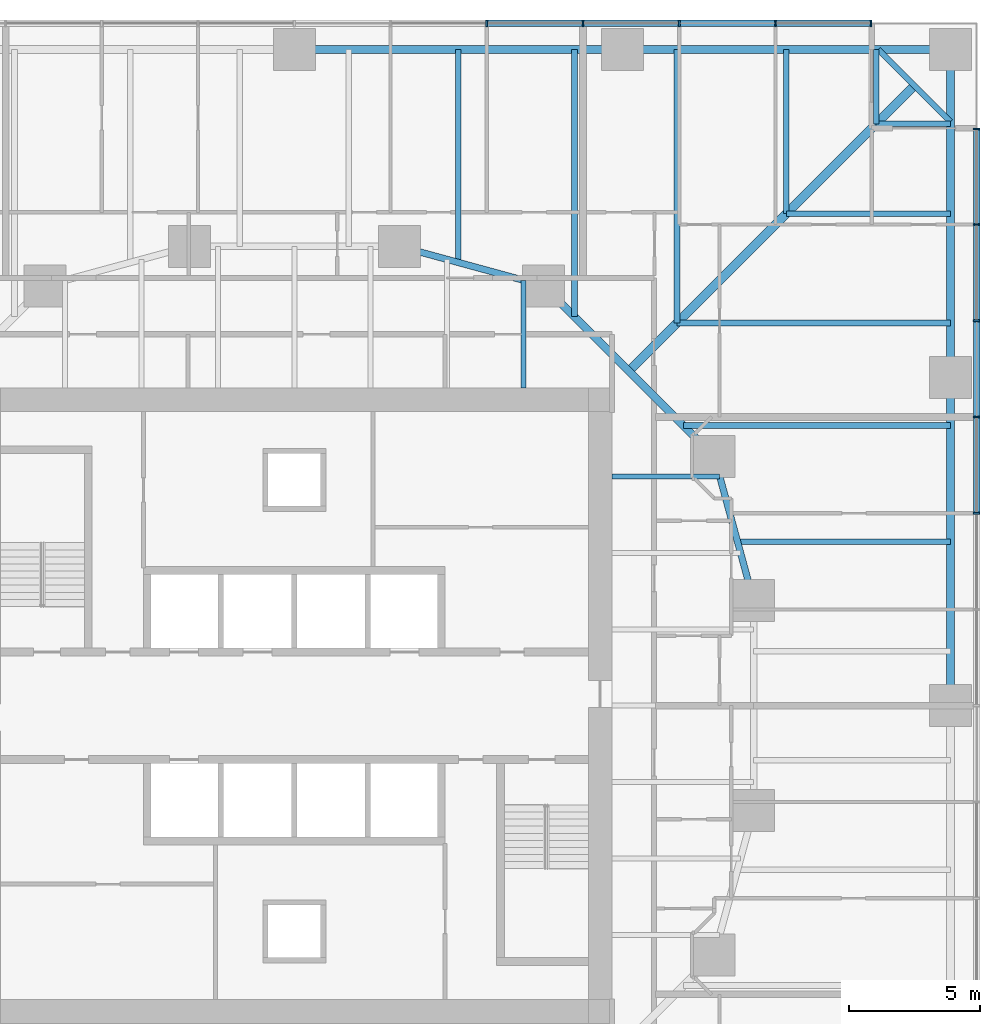
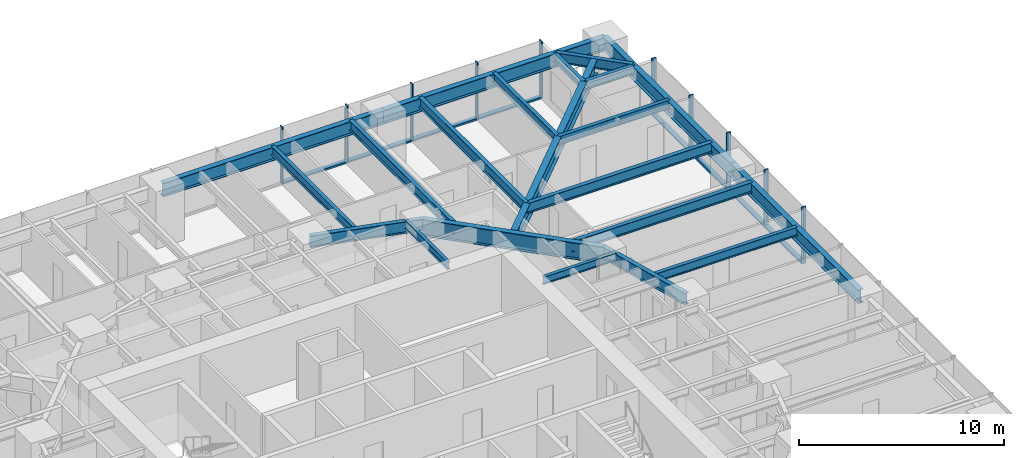
# One storey, part 6 of 18: 21 beams, 18 members, 2 elements without a shape of their own.
"""IFC4 building model written with IfcOpenShell, lengths in metres."""

from ifc_helpers import new_model, si_unit, direction, frame, origin, origin_2d, place, context, subcontext, project, spatial, rectangle, i_section, extrude, material, material_profile, profile_set, type_object, element, aggregate, save


model = new_model("IFC4")

# Units and contexts
model_context = context("Model", 3, precision=1e-05, world=origin(), true_north=direction((0.0, 1.0)))
body_context = subcontext(model_context, "Body", "Model", "MODEL_VIEW")
ifc_project = project(units=[si_unit("LENGTHUNIT", "METRE"), si_unit("AREAUNIT", "SQUARE_METRE"), si_unit("VOLUMEUNIT", "CUBIC_METRE"), si_unit("PLANEANGLEUNIT", "RADIAN"), si_unit("MASSUNIT", "GRAM", prefix="KILO")], contexts=[model_context])

# Site, building, storey
site_placement = place(None, origin())
site = spatial("IfcSite", under=ifc_project, at=site_placement, CompositionType="ELEMENT")
building_placement = place(site_placement, origin())
building = spatial("IfcBuilding", under=site, at=building_placement, Name="Torsade Residences", CompositionType="ELEMENT")
storey_placement = place(building_placement, frame((0.0, 0.0, 28.60009765625)))
storey = spatial("IfcBuildingStorey", under=building, at=storey_placement, Name="L07", CompositionType="ELEMENT", Elevation=28.60009765625)

# Beams
ifc_material_1 = material(Name="Steel grade 300", Category="steel")
ifc_material_profile_1 = material_profile(ifc_material_1, i_section(OverallWidth=0.35009765625, OverallDepth=0.909912109375, WebThickness=0.011962890625, FlangeThickness=0.02490234375, at=origin_2d()), Name="900WB218")
ifc_profile_set_1 = profile_set([ifc_material_profile_1], Name="Steel grade 300")
beam_type_1 = type_object("IfcBeamType", Name="CORNER GIRDER 900WB218", PredefinedType="BEAM", material=ifc_profile_set_1)
beam_1_placement = place(storey_placement, frame((63.625, 53.625, 2.794921875), z_axis=(-0.707106781187, -0.707106781187, 0.0), x_axis=(0.707106781187, -0.707106781187, 0.0)))
element("IfcBeam", 1, at=beam_1_placement, inside=storey, type_object=beam_type_1, Name="Corner girder 09 L08", PredefinedType="BEAM", context=body_context, shape_type="SweptSolid", body=[
    extrude(i_section(OverallWidth=0.35009765625, OverallDepth=0.909912109375, WebThickness=0.011962890625, FlangeThickness=0.02490234375, at=origin_2d()), origin(), (0.0, 0.0, 1.0), 15.379638671875),
])
ifc_material_2 = material(Name="Steel grade 300", Category="steel")
ifc_material_profile_2 = material_profile(ifc_material_2, i_section(OverallWidth=0.22802734375, OverallDepth=0.60205078125, WebThickness=0.010498046875, FlangeThickness=0.014892578125, FilletRadius=0.013916015625, at=origin_2d()), Name="610UB101")
ifc_profile_set_2 = profile_set([ifc_material_profile_2], Name="Steel grade 300")
beam_type_2 = type_object("IfcBeamType", Name="CORNER TRIMMER 610UB101", PredefinedType="BEAM", material=ifc_profile_set_2)
beam_2_placement = place(storey_placement, frame((62.25, 55.0, 2.948974609375), z_axis=(0.707106781187, -0.707106781187, 0.0), x_axis=(0.707106781187, 0.707106781187, 0.0)))
element("IfcBeam", 2, at=beam_2_placement, inside=storey, type_object=beam_type_2, Name="Corner trimmer 09 L08", PredefinedType="BEAM", context=body_context, shape_type="SweptSolid", body=[
    extrude(i_section(OverallWidth=0.22802734375, OverallDepth=0.60205078125, WebThickness=0.010498046875, FlangeThickness=0.014892578125, FilletRadius=0.013916015625, at=origin_2d()), origin(), (0.0, 0.0, 1.0), 3.88916015625),
])

# Curtain wall, members
ifc_material_3 = material(Name="Aluminium and glass", Category="aluminium")
curtain_wall_type = type_object("IfcCurtainWallType", Name="FRITTED GLASS CURTAIN WALL LOW ZONE", PredefinedType="NOTDEFINED", material=ifc_material_3)
curtain_wall_1_placement = place(storey_placement, origin())
curtain_wall_1 = element("IfcCurtainWall", 3, at=curtain_wall_1_placement, inside=storey, type_object=curtain_wall_type, Name="Curtain wall L07 face 4", PredefinedType="NOTDEFINED")
ifc_material_4 = material(Name="Aluminium mullion", Category="aluminium")
ifc_material_profile_3 = material_profile(ifc_material_4, rectangle(XDim=0.25, YDim=0.06494140625, at=origin_2d()), Name="CURTAIN WALL MULLION 250x65")
ifc_profile_set_3 = profile_set([ifc_material_profile_3], Name="Aluminium mullion")
member_type_1 = type_object("IfcMemberType", Name="CURTAIN WALL MULLION 250x65", PredefinedType="MULLION", material=ifc_profile_set_3)
member_1_placement = place(storey_placement, frame((66.0, 37.333251953125, 0.0), z_axis=(0.0, 0.0, 1.0), x_axis=(-1.0, 0.0, 0.0)))
member_1 = element("IfcMember", 4, at=member_1_placement, type_object=member_type_1, Name="Mullion 9", PredefinedType="MULLION", context=body_context, shape_type="SweptSolid", body=[
    extrude(rectangle(XDim=0.25, YDim=0.06494140625, at=origin_2d()), origin(), (0.0, 0.0, 1.0), 3.39990234375),
])
member_2_placement = place(storey_placement, frame((66.0, 41.0, 0.0), z_axis=(0.0, 0.0, 1.0), x_axis=(-1.0, 0.0, 0.0)))
member_2 = element("IfcMember", 5, at=member_2_placement, type_object=member_type_1, Name="Mullion 10", PredefinedType="MULLION", context=body_context, shape_type="SweptSolid", body=[
    extrude(rectangle(XDim=0.25, YDim=0.06494140625, at=origin_2d()), origin(), (0.0, 0.0, 1.0), 3.39990234375),
])
member_3_placement = place(storey_placement, frame((66.0, 44.666748046875, 0.0), z_axis=(0.0, 0.0, 1.0), x_axis=(-1.0, 0.0, 0.0)))
member_3 = element("IfcMember", 6, at=member_3_placement, type_object=member_type_1, Name="Mullion 11", PredefinedType="MULLION", context=body_context, shape_type="SweptSolid", body=[
    extrude(rectangle(XDim=0.25, YDim=0.06494140625, at=origin_2d()), origin(), (0.0, 0.0, 1.0), 3.39990234375),
])
member_4_placement = place(storey_placement, frame((66.0, 48.333251953125, 0.0), z_axis=(0.0, 0.0, 1.0), x_axis=(-1.0, 0.0, 0.0)))
member_4 = element("IfcMember", 7, at=member_4_placement, type_object=member_type_1, Name="Mullion 12", PredefinedType="MULLION", context=body_context, shape_type="SweptSolid", body=[
    extrude(rectangle(XDim=0.25, YDim=0.06494140625, at=origin_2d()), origin(), (0.0, 0.0, 1.0), 3.39990234375),
])
member_5_placement = place(storey_placement, frame((66.0, 51.967529296875, 0.0), z_axis=(0.0, 0.0, 1.0), x_axis=(-1.0, 0.0, 0.0)))
member_5 = element("IfcMember", 8, at=member_5_placement, type_object=member_type_1, Name="Mullion 13", PredefinedType="MULLION", context=body_context, shape_type="SweptSolid", body=[
    extrude(rectangle(XDim=0.25, YDim=0.06494140625, at=origin_2d()), origin(), (0.0, 0.0, 1.0), 3.39990234375),
])

curtain_wall_2_placement = place(storey_placement, origin())
curtain_wall_2 = element("IfcCurtainWall", 9, at=curtain_wall_2_placement, inside=storey, type_object=curtain_wall_type, Name="Curtain wall L07 face 7", PredefinedType="NOTDEFINED")
member_6_placement = place(storey_placement, frame((61.967529296875, 56.0, 0.0), z_axis=(0.0, 0.0, 1.0), x_axis=(0.0, -1.0, 0.0)))
member_6 = element("IfcMember", 10, at=member_6_placement, type_object=member_type_1, Name="Mullion 1", PredefinedType="MULLION", context=body_context, shape_type="SweptSolid", body=[
    extrude(rectangle(XDim=0.25, YDim=0.06494140625, at=origin_2d()), origin(), (0.0, 0.0, 1.0), 3.39990234375),
])
member_7_placement = place(storey_placement, frame((58.333251953125, 56.0, 0.0), z_axis=(0.0, 0.0, 1.0), x_axis=(0.0, -1.0, 0.0)))
member_7 = element("IfcMember", 11, at=member_7_placement, type_object=member_type_1, Name="Mullion 2", PredefinedType="MULLION", context=body_context, shape_type="SweptSolid", body=[
    extrude(rectangle(XDim=0.25, YDim=0.06494140625, at=origin_2d()), origin(), (0.0, 0.0, 1.0), 3.39990234375),
])
member_8_placement = place(storey_placement, frame((54.666748046875, 56.0, 0.0), z_axis=(0.0, 0.0, 1.0), x_axis=(0.0, -1.0, 0.0)))
member_8 = element("IfcMember", 12, at=member_8_placement, type_object=member_type_1, Name="Mullion 3", PredefinedType="MULLION", context=body_context, shape_type="SweptSolid", body=[
    extrude(rectangle(XDim=0.25, YDim=0.06494140625, at=origin_2d()), origin(), (0.0, 0.0, 1.0), 3.39990234375),
])
member_9_placement = place(storey_placement, frame((51.0, 56.0, 0.0), z_axis=(0.0, 0.0, 1.0), x_axis=(0.0, -1.0, 0.0)))
member_9 = element("IfcMember", 13, at=member_9_placement, type_object=member_type_1, Name="Mullion 4", PredefinedType="MULLION", context=body_context, shape_type="SweptSolid", body=[
    extrude(rectangle(XDim=0.25, YDim=0.06494140625, at=origin_2d()), origin(), (0.0, 0.0, 1.0), 3.39990234375),
])
member_10_placement = place(storey_placement, frame((47.333251953125, 56.0, 0.0), z_axis=(0.0, 0.0, 1.0), x_axis=(0.0, -1.0, 0.0)))
member_10 = element("IfcMember", 14, at=member_10_placement, type_object=member_type_1, Name="Mullion 5", PredefinedType="MULLION", context=body_context, shape_type="SweptSolid", body=[
    extrude(rectangle(XDim=0.25, YDim=0.06494140625, at=origin_2d()), origin(), (0.0, 0.0, 1.0), 3.39990234375),
])

# Member
ifc_material_5 = material(Name="Aluminium transom", Category="aluminium")
ifc_material_profile_4 = material_profile(ifc_material_5, rectangle(XDim=0.25, YDim=0.10009765625, at=origin_2d()), Name="CURTAIN WALL TRANSOM 250x100")
ifc_profile_set_4 = profile_set([ifc_material_profile_4], Name="Aluminium transom")
member_type_2 = type_object("IfcMemberType", Name="CURTAIN WALL TRANSOM 250x100", PredefinedType="USERDEFINED", material=ifc_profile_set_4)
member_11_placement = place(storey_placement, frame((66.0, 37.36572265625, 0.0498046875), z_axis=(0.0, 1.0, 0.0), x_axis=(-1.0, 0.0, 0.0)))
member_11 = element("IfcMember", 15, at=member_11_placement, type_object=member_type_2, Name="Transom 9.1", ObjectType="TRANSOM", PredefinedType="USERDEFINED", context=body_context, shape_type="SweptSolid", body=[
    extrude(rectangle(XDim=0.25, YDim=0.10009765625, at=origin_2d()), origin(), (0.0, 0.0, 1.0), 3.601806640625),
])

member_12_placement = place(storey_placement, frame((66.0, 41.032470703125, 0.0498046875), z_axis=(0.0, 1.0, 0.0), x_axis=(-1.0, 0.0, 0.0)))
member_12 = element("IfcMember", 16, at=member_12_placement, type_object=member_type_2, Name="Transom 10.1", ObjectType="TRANSOM", PredefinedType="USERDEFINED", context=body_context, shape_type="SweptSolid", body=[
    extrude(rectangle(XDim=0.25, YDim=0.10009765625, at=origin_2d()), origin(), (0.0, 0.0, 1.0), 3.601806640625),
])

member_13_placement = place(storey_placement, frame((66.0, 44.69921875, 0.0498046875), z_axis=(0.0, 1.0, 0.0), x_axis=(-1.0, 0.0, 0.0)))
member_13 = element("IfcMember", 17, at=member_13_placement, type_object=member_type_2, Name="Transom 11.1", ObjectType="TRANSOM", PredefinedType="USERDEFINED", context=body_context, shape_type="SweptSolid", body=[
    extrude(rectangle(XDim=0.25, YDim=0.10009765625, at=origin_2d()), origin(), (0.0, 0.0, 1.0), 3.6015625),
])

member_14_placement = place(storey_placement, frame((66.0, 48.36572265625, 0.0498046875), z_axis=(0.0, 1.0, 0.0), x_axis=(-1.0, 0.0, 0.0)))
member_14 = element("IfcMember", 18, at=member_14_placement, type_object=member_type_2, Name="Transom 12.1", ObjectType="TRANSOM", PredefinedType="USERDEFINED", context=body_context, shape_type="SweptSolid", body=[
    extrude(rectangle(XDim=0.25, YDim=0.10009765625, at=origin_2d()), origin(), (0.0, 0.0, 1.0), 3.5693359375),
])

aggregate(curtain_wall_1, [member_1, member_2, member_3, member_4, member_5, member_11, member_12, member_13, member_14])

member_15_placement = place(storey_placement, frame((61.93505859375, 56.0, 0.0498046875), z_axis=(-1.0, 0.0, 0.0), x_axis=(0.0, -1.0, 0.0)))
member_15 = element("IfcMember", 19, at=member_15_placement, type_object=member_type_2, Name="Transom 1.1", ObjectType="TRANSOM", PredefinedType="USERDEFINED", context=body_context, shape_type="SweptSolid", body=[
    extrude(rectangle(XDim=0.25, YDim=0.10009765625, at=origin_2d()), origin(), (0.0, 0.0, 1.0), 3.5693359375),
])

member_16_placement = place(storey_placement, frame((58.30078125, 56.0, 0.0498046875), z_axis=(-1.0, 0.0, 0.0), x_axis=(0.0, -1.0, 0.0)))
member_16 = element("IfcMember", 20, at=member_16_placement, type_object=member_type_2, Name="Transom 2.1", ObjectType="TRANSOM", PredefinedType="USERDEFINED", context=body_context, shape_type="SweptSolid", body=[
    extrude(rectangle(XDim=0.25, YDim=0.10009765625, at=origin_2d()), origin(), (0.0, 0.0, 1.0), 3.6015625),
])

member_17_placement = place(storey_placement, frame((54.63427734375, 56.0, 0.0498046875), z_axis=(-1.0, 0.0, 0.0), x_axis=(0.0, -1.0, 0.0)))
member_17 = element("IfcMember", 21, at=member_17_placement, type_object=member_type_2, Name="Transom 3.1", ObjectType="TRANSOM", PredefinedType="USERDEFINED", context=body_context, shape_type="SweptSolid", body=[
    extrude(rectangle(XDim=0.25, YDim=0.10009765625, at=origin_2d()), origin(), (0.0, 0.0, 1.0), 3.601806640625),
])

member_18_placement = place(storey_placement, frame((50.967529296875, 56.0, 0.0498046875), z_axis=(-1.0, 0.0, 0.0), x_axis=(0.0, -1.0, 0.0)))
member_18 = element("IfcMember", 22, at=member_18_placement, type_object=member_type_2, Name="Transom 4.1", ObjectType="TRANSOM", PredefinedType="USERDEFINED", context=body_context, shape_type="SweptSolid", body=[
    extrude(rectangle(XDim=0.25, YDim=0.10009765625, at=origin_2d()), origin(), (0.0, 0.0, 1.0), 3.601806640625),
])

aggregate(curtain_wall_2, [member_6, member_7, member_8, member_9, member_10, member_15, member_16, member_17, member_18])

# Beams
ifc_material_6 = material(Name="Steel grade 300", Category="steel")
ifc_material_profile_5 = material_profile(ifc_material_6, i_section(OverallWidth=0.300048828125, OverallDepth=0.81591796875, WebThickness=0.010009765625, FlangeThickness=0.028076171875, at=origin_2d()), Name="800WB192")
ifc_profile_set_5 = profile_set([ifc_material_profile_5], Name="Steel grade 300")
beam_type_3 = type_object("IfcBeamType", Name="EDGE BEAM 800WB192", PredefinedType="SPANDREL", material=ifc_profile_set_5)
for number, where, z_axis, x_axis, name in (
    (23, (65.0, 30.0, 2.841796875), (0.0, 1.0, 0.0), (-1.0, 0.0, 0.0), "Edge beam 07 L08"),
    (24, (65.0, 42.5, 2.841796875), (0.0, 1.0, 0.0), (-1.0, 0.0, 0.0), "Edge beam 08 L08"),
    (25, (65.0, 55.0, 2.841796875), (-1.0, 0.0, 0.0), (0.0, -1.0, 0.0), "Edge beam 09 L08"),
    (26, (52.5, 55.0, 2.841796875), (-1.0, 0.0, 0.0), (0.0, -1.0, 0.0), "Edge beam 10 L08"),
):
    element("IfcBeam", number, at=place(storey_placement, frame(where, z_axis=z_axis, x_axis=x_axis)), inside=storey, type_object=beam_type_3, Name=name, PredefinedType="SPANDREL", context=body_context, shape_type="SweptSolid", body=[
        extrude(i_section(OverallWidth=0.300048828125, OverallDepth=0.81591796875, WebThickness=0.010009765625, FlangeThickness=0.028076171875, at=origin_2d()), origin(), (0.0, 0.0, 1.0), 12.5),
    ])
ifc_material_7 = material(Name="Steel grade 300", Category="steel")
ifc_material_profile_6 = material_profile(ifc_material_7, i_section(OverallWidth=0.18994140625, OverallDepth=0.4541015625, WebThickness=0.008544921875, FlangeThickness=0.0126953125, FilletRadius=0.011474609375, at=origin_2d()), Name="460UB67.1")
ifc_profile_set_6 = profile_set([ifc_material_profile_6], Name="Steel grade 300")
beam_type_4 = type_object("IfcBeamType", Name="INNER FLOOR BEAM 460UB67.1", PredefinedType="JOIST", material=ifc_profile_set_6)
for number, where, z_axis, x_axis, name in (
    (27, (48.737548828125, 42.10009765625, 3.02294921875), (0.0, 1.0, 0.0), (-1.0, 0.0, 0.0), "Inner floor beam IN07 L08"),
    (28, (52.10009765625, 38.737548828125, 3.02294921875), (1.0, 0.0, 0.0), (0.0, 1.0, 0.0), "Inner floor beam IE07 L08"),
):
    element("IfcBeam", number, at=place(storey_placement, frame(where, z_axis=z_axis, x_axis=x_axis)), inside=storey, type_object=beam_type_4, Name=name, PredefinedType="JOIST", context=body_context, shape_type="SweptSolid", body=[
        extrude(i_section(OverallWidth=0.18994140625, OverallDepth=0.4541015625, WebThickness=0.008544921875, FlangeThickness=0.0126953125, FilletRadius=0.011474609375, at=origin_2d()), origin(), (0.0, 0.0, 1.0), 4.10791015625),
    ])
ifc_material_8 = material(Name="Steel grade 300", Category="steel")
ifc_material_profile_7 = material_profile(ifc_material_8, i_section(OverallWidth=0.300048828125, OverallDepth=1.0, WebThickness=0.01611328125, FlangeThickness=0.028076171875, at=origin_2d()), Name="1000WB215")
ifc_profile_set_7 = profile_set([ifc_material_profile_7], Name="Steel grade 300")
beam_type_5 = type_object("IfcBeamType", Name="RING CORNER GIRDER 1000WB215", PredefinedType="BEAM", material=ifc_profile_set_7)
beam_3_placement = place(storey_placement, frame((56.0, 39.5, 2.75), z_axis=(-0.707106781187, 0.707106781187, 0.0), x_axis=(-0.707106781187, -0.707106781187, 0.0)))
element("IfcBeam", 29, at=beam_3_placement, inside=storey, type_object=beam_type_5, Name="Ring girder IR03 L08", PredefinedType="BEAM", context=body_context, shape_type="SweptSolid", body=[
    extrude(i_section(OverallWidth=0.300048828125, OverallDepth=1.0, WebThickness=0.01611328125, FlangeThickness=0.028076171875, at=origin_2d()), origin(), (0.0, 0.0, 1.0), 9.1923828125),
])
ifc_material_9 = material(Name="Steel grade 300", Category="steel")
ifc_material_profile_8 = material_profile(ifc_material_9, i_section(OverallWidth=0.25, OverallDepth=0.699951171875, WebThickness=0.010009765625, FlangeThickness=0.02001953125, at=origin_2d()), Name="700WB130")
ifc_profile_set_8 = profile_set([ifc_material_profile_8], Name="Steel grade 300")
beam_type_6 = type_object("IfcBeamType", Name="RING GIRDER 700WB130", PredefinedType="BEAM", material=ifc_profile_set_8)
for number, where, z_axis, x_axis, name in (
    (30, (57.5, 34.0, 2.89990234375), (-0.263117405792, 0.964763821238, 0.0), (-0.964763821238, -0.263117405792, 0.0), "Ring girder IR02 L08"),
    (31, (49.5, 46.0, 2.89990234375), (-0.964763821238, 0.263117405792, 0.0), (-0.263117405792, -0.964763821238, 0.0), "Ring girder IR04 L08"),
):
    element("IfcBeam", number, at=place(storey_placement, frame(where, z_axis=z_axis, x_axis=x_axis)), inside=storey, type_object=beam_type_6, Name=name, PredefinedType="BEAM", context=body_context, shape_type="SweptSolid", body=[
        extrude(i_section(OverallWidth=0.25, OverallDepth=0.699951171875, WebThickness=0.010009765625, FlangeThickness=0.02001953125, at=origin_2d()), origin(), (0.0, 0.0, 1.0), 5.700927734375),
    ])
ifc_material_10 = material(Name="Steel grade 300", Category="steel")
ifc_material_profile_9 = material_profile(ifc_material_10, i_section(OverallWidth=0.208984375, OverallDepth=0.528076171875, WebThickness=0.009521484375, FlangeThickness=0.01318359375, FilletRadius=0.013916015625, at=origin_2d()), Name="530UB82.0")
ifc_profile_set_9 = profile_set([ifc_material_profile_9], Name="Steel grade 300")
beam_type_7 = type_object("IfcBeamType", Name="SECONDARY BEAM 530UB82.0", PredefinedType="JOIST", material=ifc_profile_set_9)
beam_4_placement = place(storey_placement, frame((65.0, 36.25, 2.98583984375), z_axis=(-1.0, 0.0, 0.0), x_axis=(0.0, -1.0, 0.0)))
element("IfcBeam", 32, at=beam_4_placement, inside=storey, type_object=beam_type_7, Name="Floor beam FE08 L08", PredefinedType="JOIST", context=body_context, shape_type="SweptSolid", body=[
    extrude(i_section(OverallWidth=0.208984375, OverallDepth=0.528076171875, WebThickness=0.009521484375, FlangeThickness=0.01318359375, FilletRadius=0.013916015625, at=origin_2d()), origin(), (0.0, 0.0, 1.0), 8.113525390625),
])
beam_5_placement = place(storey_placement, frame((65.0, 48.75, 2.98583984375), z_axis=(-1.0, 0.0, 0.0), x_axis=(0.0, -1.0, 0.0)))
element("IfcBeam", 33, at=beam_5_placement, inside=storey, type_object=beam_type_7, Name="Floor beam FE11 L08", PredefinedType="JOIST", context=body_context, shape_type="SweptSolid", body=[
    extrude(i_section(OverallWidth=0.208984375, OverallDepth=0.528076171875, WebThickness=0.009521484375, FlangeThickness=0.01318359375, FilletRadius=0.013916015625, at=origin_2d()), origin(), (0.0, 0.0, 1.0), 6.25),
])
for number, where, z_axis, x_axis, name in (
    (34, (65.0, 52.166748046875, 2.98583984375), (-1.0, 0.0, 0.0), (0.0, -1.0, 0.0), "Floor beam FE12 L08"),
    (35, (62.166748046875, 55.0, 2.98583984375), (0.0, -1.0, 0.0), (1.0, 0.0, 0.0), "Floor beam FN01 L08"),
):
    element("IfcBeam", number, at=place(storey_placement, frame(where, z_axis=z_axis, x_axis=x_axis)), inside=storey, type_object=beam_type_7, Name=name, PredefinedType="JOIST", context=body_context, shape_type="SweptSolid", body=[
        extrude(i_section(OverallWidth=0.208984375, OverallDepth=0.528076171875, WebThickness=0.009521484375, FlangeThickness=0.01318359375, FilletRadius=0.013916015625, at=origin_2d()), origin(), (0.0, 0.0, 1.0), 2.833251953125),
    ])
beam_6_placement = place(storey_placement, frame((58.75, 55.0, 2.98583984375), z_axis=(0.0, -1.0, 0.0), x_axis=(1.0, 0.0, 0.0)))
element("IfcBeam", 36, at=beam_6_placement, inside=storey, type_object=beam_type_7, Name="Floor beam FN02 L08", PredefinedType="JOIST", context=body_context, shape_type="SweptSolid", body=[
    extrude(i_section(OverallWidth=0.208984375, OverallDepth=0.528076171875, WebThickness=0.009521484375, FlangeThickness=0.01318359375, FilletRadius=0.013916015625, at=origin_2d()), origin(), (0.0, 0.0, 1.0), 6.25),
])
beam_7_placement = place(storey_placement, frame((46.25, 55.0, 2.98583984375), z_axis=(0.0, -1.0, 0.0), x_axis=(1.0, 0.0, 0.0)))
element("IfcBeam", 37, at=beam_7_placement, inside=storey, type_object=beam_type_7, Name="Floor beam FN05 L08", PredefinedType="JOIST", context=body_context, shape_type="SweptSolid", body=[
    extrude(i_section(OverallWidth=0.208984375, OverallDepth=0.528076171875, WebThickness=0.009521484375, FlangeThickness=0.01318359375, FilletRadius=0.013916015625, at=origin_2d()), origin(), (0.0, 0.0, 1.0), 8.113525390625),
])
ifc_material_11 = material(Name="Steel grade 300", Category="steel")
ifc_material_profile_10 = material_profile(ifc_material_11, i_section(OverallWidth=0.22900390625, OverallDepth=0.612060546875, WebThickness=0.011962890625, FlangeThickness=0.01953125, FilletRadius=0.013916015625, at=origin_2d()), Name="610UB125")
ifc_profile_set_10 = profile_set([ifc_material_profile_10], Name="Steel grade 300")
beam_type_8 = type_object("IfcBeamType", Name="SECONDARY BEAM 610UB125", PredefinedType="JOIST", material=ifc_profile_set_10)
beam_8_placement = place(storey_placement, frame((65.0, 40.666748046875, 2.94384765625), z_axis=(-1.0, 0.0, 0.0), x_axis=(0.0, -1.0, 0.0)))
element("IfcBeam", 38, at=beam_8_placement, inside=storey, type_object=beam_type_8, Name="Floor beam FE09 L08", PredefinedType="JOIST", context=body_context, shape_type="SweptSolid", body=[
    extrude(i_section(OverallWidth=0.22900390625, OverallDepth=0.612060546875, WebThickness=0.011962890625, FlangeThickness=0.01953125, FilletRadius=0.013916015625, at=origin_2d()), origin(), (0.0, 0.0, 1.0), 10.166748046875),
])
for number, where, z_axis, x_axis, name in (
    (39, (65.0, 44.583251953125, 2.94384765625), (-1.0, 0.0, 0.0), (0.0, -1.0, 0.0), "Floor beam FE10 L08"),
    (40, (54.583251953125, 55.0, 2.94384765625), (0.0, -1.0, 0.0), (1.0, 0.0, 0.0), "Floor beam FN03 L08"),
):
    element("IfcBeam", number, at=place(storey_placement, frame(where, z_axis=z_axis, x_axis=x_axis)), inside=storey, type_object=beam_type_8, Name=name, PredefinedType="JOIST", context=body_context, shape_type="SweptSolid", body=[
        extrude(i_section(OverallWidth=0.22900390625, OverallDepth=0.612060546875, WebThickness=0.011962890625, FlangeThickness=0.01953125, FilletRadius=0.013916015625, at=origin_2d()), origin(), (0.0, 0.0, 1.0), 10.416748046875),
    ])
beam_9_placement = place(storey_placement, frame((50.666748046875, 55.0, 2.94384765625), z_axis=(0.0, -1.0, 0.0), x_axis=(1.0, 0.0, 0.0)))
element("IfcBeam", 41, at=beam_9_placement, inside=storey, type_object=beam_type_8, Name="Floor beam FN04 L08", PredefinedType="JOIST", context=body_context, shape_type="SweptSolid", body=[
    extrude(i_section(OverallWidth=0.22900390625, OverallDepth=0.612060546875, WebThickness=0.011962890625, FlangeThickness=0.01953125, FilletRadius=0.013916015625, at=origin_2d()), origin(), (0.0, 0.0, 1.0), 10.166748046875),
])

save(model, "model.ifc")
